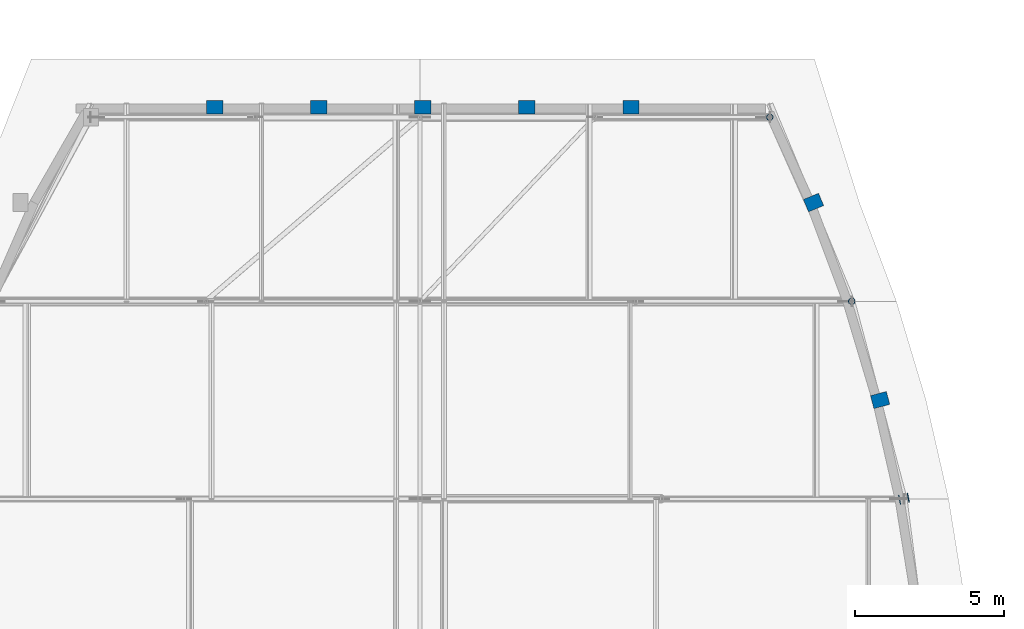
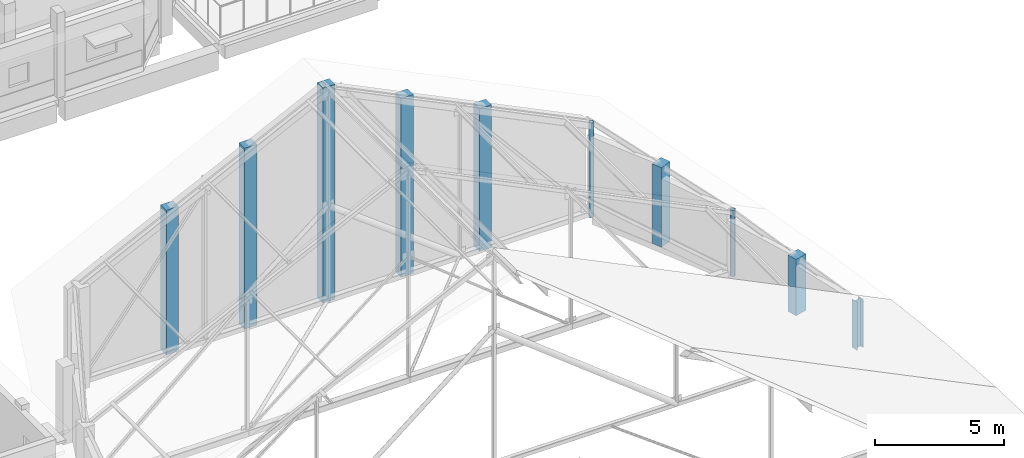
# One storey, part 12 of 78: 10 columns.
"""IFC4 building model written with IfcOpenShell, lengths in metres."""

from ifc_helpers import new_model, si_unit, direction, frame, origin, origin_2d, place, context, subcontext, project, spatial, rectangle, hollow_circle, i_section, extrude, material, material_profile, profile_set, type_object, element, save


model = new_model("IFC4")

# Units and contexts
model_context = context("Model", 3, precision=1e-05, world=origin(), true_north=direction((0.0, 1.0)))
body_context = subcontext(model_context, "Body", "Model", "MODEL_VIEW")
ifc_project = project(units=[si_unit("LENGTHUNIT", "METRE"), si_unit("AREAUNIT", "SQUARE_METRE"), si_unit("VOLUMEUNIT", "CUBIC_METRE"), si_unit("PLANEANGLEUNIT", "RADIAN"), si_unit("MASSUNIT", "GRAM", prefix="KILO")], contexts=[model_context])

# Site, building, storey
site_placement = place(None, origin())
site = spatial("IfcSite", under=ifc_project, at=site_placement, CompositionType="ELEMENT")
building_placement = place(site_placement, origin())
building = spatial("IfcBuilding", under=site, at=building_placement, Name="Kelanivale Promenade Academy", CompositionType="ELEMENT")
storey_placement = place(building_placement, frame((0.0, 0.0, 16.199951171875)))
storey = spatial("IfcBuildingStorey", under=building, at=storey_placement, Name="L04", CompositionType="ELEMENT", Elevation=16.199951171875)

# Columns
ifc_material_1 = material(Name="Concrete C40/50", Category="concrete")
ifc_material_profile_1 = material_profile(ifc_material_1, rectangle(XDim=0.449951171875, YDim=0.550048828125, at=origin_2d()), Name="RC-PIL 450x550")
ifc_profile_set_1 = profile_set([ifc_material_profile_1], Name="Concrete C40/50")
column_type_1 = type_object("IfcColumnType", Name="PL-17 RC-PIL 450x550", PredefinedType="PILASTER", material=ifc_profile_set_1)
column_1_placement = place(storey_placement, frame((132.30810546875, 79.280029296875, 0.0), z_axis=(0.0, 0.0, 1.0), x_axis=(0.0, 1.0, 0.0)))
element("IfcColumn", 1, at=column_1_placement, inside=storey, type_object=column_type_1, Name="Column PL-17 at (132.3, 79.3) L04", PredefinedType="PILASTER", context=body_context, shape_type="SweptSolid", body=[
    extrude(rectangle(XDim=0.449951171875, YDim=0.550048828125, at=origin_2d()), origin(), (0.0, 0.0, 1.0), 6.825927734375),
])
column_2_placement = place(storey_placement, frame((135.801025390625, 79.280029296875, 0.0), z_axis=(0.0, 0.0, 1.0), x_axis=(0.0, 1.0, 0.0)))
element("IfcColumn", 2, at=column_2_placement, inside=storey, type_object=column_type_1, Name="Column PL-17 at (135.8, 79.3) L04", PredefinedType="PILASTER", context=body_context, shape_type="SweptSolid", body=[
    extrude(rectangle(XDim=0.449951171875, YDim=0.550048828125, at=origin_2d()), origin(), (0.0, 0.0, 1.0), 8.531982421875),
])
column_3_placement = place(storey_placement, frame((139.2939453125, 79.280029296875, 0.0), z_axis=(0.0, 0.0, 1.0), x_axis=(0.0, 1.0, 0.0)))
element("IfcColumn", 3, at=column_3_placement, inside=storey, type_object=column_type_1, Name="Column PL-17 at (139.3, 79.3) L04", PredefinedType="PILASTER", context=body_context, shape_type="SweptSolid", body=[
    extrude(rectangle(XDim=0.449951171875, YDim=0.550048828125, at=origin_2d()), origin(), (0.0, 0.0, 1.0), 10.14599609375),
])
column_4_placement = place(storey_placement, frame((142.787109375, 79.280029296875, 0.0), z_axis=(0.0, 0.0, 1.0), x_axis=(0.0, 1.0, 0.0)))
element("IfcColumn", 4, at=column_4_placement, inside=storey, type_object=column_type_1, Name="Column PL-17 at (142.8, 79.3) L04", PredefinedType="PILASTER", context=body_context, shape_type="SweptSolid", body=[
    extrude(rectangle(XDim=0.449951171875, YDim=0.550048828125, at=origin_2d()), origin(), (0.0, 0.0, 1.0), 8.43994140625),
])
column_5_placement = place(storey_placement, frame((146.280029296875, 79.280029296875, 0.0), z_axis=(0.0, 0.0, 1.0), x_axis=(0.0, 1.0, 0.0)))
element("IfcColumn", 5, at=column_5_placement, inside=storey, type_object=column_type_1, Name="Column PL-17 at (146.3, 79.3) L04", PredefinedType="PILASTER", context=body_context, shape_type="SweptSolid", body=[
    extrude(rectangle(XDim=0.449951171875, YDim=0.550048828125, at=origin_2d()), origin(), (0.0, 0.0, 1.0), 6.734130859375),
])
column_6_placement = place(storey_placement, frame((152.406982421875, 76.0859375, 0.0), z_axis=(0.0, 0.0, 1.0), x_axis=(-0.382360914263, 0.92401305794, 0.0)))
element("IfcColumn", 6, at=column_6_placement, inside=storey, type_object=column_type_1, Name="Column PL-17 at (152.4, 76.1) L04", PredefinedType="PILASTER", context=body_context, shape_type="SweptSolid", body=[
    extrude(rectangle(XDim=0.449951171875, YDim=0.550048828125, at=origin_2d()), origin(), (0.0, 0.0, 1.0), 3.751953125),
])
column_7_placement = place(storey_placement, frame((154.64208984375, 69.45703125, 0.0), z_axis=(0.0, 0.0, 1.0), x_axis=(-0.2549394954, 0.966957007154, 0.0)))
element("IfcColumn", 7, at=column_7_placement, inside=storey, type_object=column_type_1, Name="Column PL-17 at (154.6, 69.5) L04", PredefinedType="PILASTER", context=body_context, shape_type="SweptSolid", body=[
    extrude(rectangle(XDim=0.449951171875, YDim=0.550048828125, at=origin_2d()), origin(), (0.0, 0.0, 1.0), 2.6611328125),
])
ifc_material_2 = material(Name="Steel S355", Category="steel")
ifc_material_profile_2 = material_profile(ifc_material_2, i_section(OverallWidth=0.307373046875, OverallDepth=0.314453125, WebThickness=0.011962890625, FlangeThickness=0.018798828125, FilletRadius=0.01513671875, at=origin_2d()), Name="UC 305x305x118")
ifc_profile_set_2 = profile_set([ifc_material_profile_2], Name="Steel S355")
column_type_2 = type_object("IfcColumnType", Name="SC-04 UC 305x305x118", PredefinedType="COLUMN", material=ifc_profile_set_2)
column_8_placement = place(storey_placement, frame((155.44091796875, 66.14306640625, 0.0), z_axis=(0.0, 0.0, 1.0), x_axis=(-0.191151636272, 0.981560518741, 0.0)))
element("IfcColumn", 8, at=column_8_placement, inside=storey, type_object=column_type_2, Name="Column SC-04 at (155.4, 66.1) L04", PredefinedType="COLUMN", context=body_context, shape_type="SweptSolid", body=[
    extrude(i_section(OverallWidth=0.307373046875, OverallDepth=0.314453125, WebThickness=0.011962890625, FlangeThickness=0.018798828125, FilletRadius=0.01513671875, at=origin_2d()), origin(), (0.0, 0.0, 1.0), 2.27001953125),
])
ifc_material_profile_3 = material_profile(ifc_material_2, hollow_circle(Radius=0.109619140625, WallThickness=0.010009765625, at=origin_2d()), Name="CHS 219.1x10.0")
ifc_profile_set_3 = profile_set([ifc_material_profile_3], Name="Steel S355")
column_type_3 = type_object("IfcColumnType", Name="SC-06 CHS 219.1x10.0", PredefinedType="PILASTER", material=ifc_profile_set_3)
column_9_placement = place(storey_placement, frame((150.93798828125, 78.949951171875, 0.0), z_axis=(0.0, 0.0, 1.0), x_axis=(-0.44619781311, 0.894934361602, 0.0)))
element("IfcColumn", 9, at=column_9_placement, inside=storey, type_object=column_type_3, Name="Column SC-06 at (150.9, 79.0) L04", PredefinedType="PILASTER", context=body_context, shape_type="SweptSolid", body=[
    extrude(hollow_circle(Radius=0.109619140625, WallThickness=0.010009765625, at=origin_2d()), origin(), (0.0, 0.0, 1.0), 4.468994140625),
])
column_10_placement = place(storey_placement, frame((153.68896484375, 72.77099609375, 0.0), z_axis=(0.0, 0.0, 1.0), x_axis=(-0.318628456287, 0.947879690069, 0.0)))
element("IfcColumn", 10, at=column_10_placement, inside=storey, type_object=column_type_3, Name="Column SC-06 at (153.7, 72.8) L04", PredefinedType="PILASTER", context=body_context, shape_type="SweptSolid", body=[
    extrude(hollow_circle(Radius=0.109619140625, WallThickness=0.010009765625, at=origin_2d()), origin(), (0.0, 0.0, 1.0), 3.1259765625),
])

save(model, "model.ifc")
